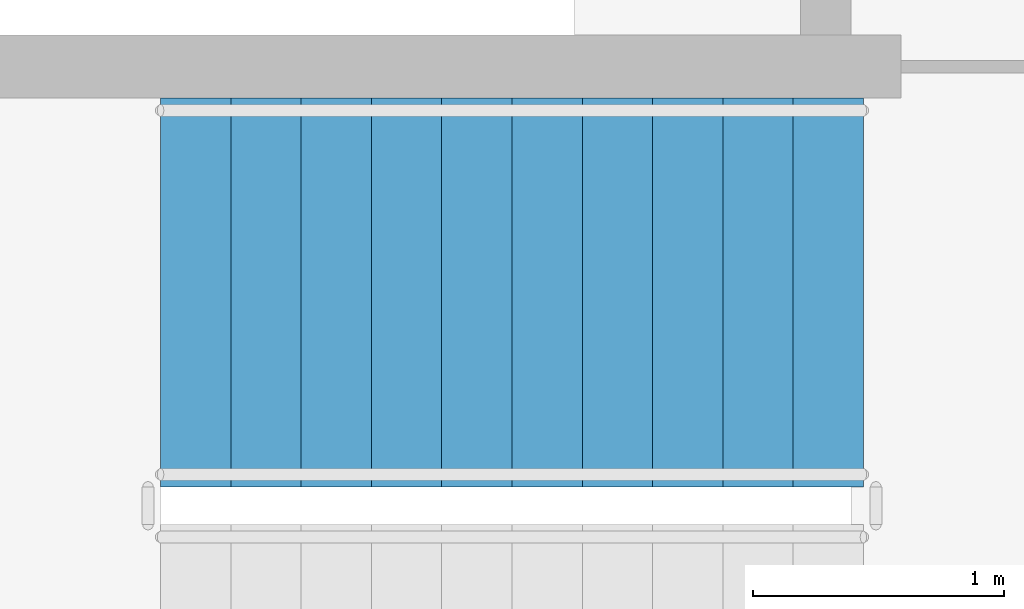
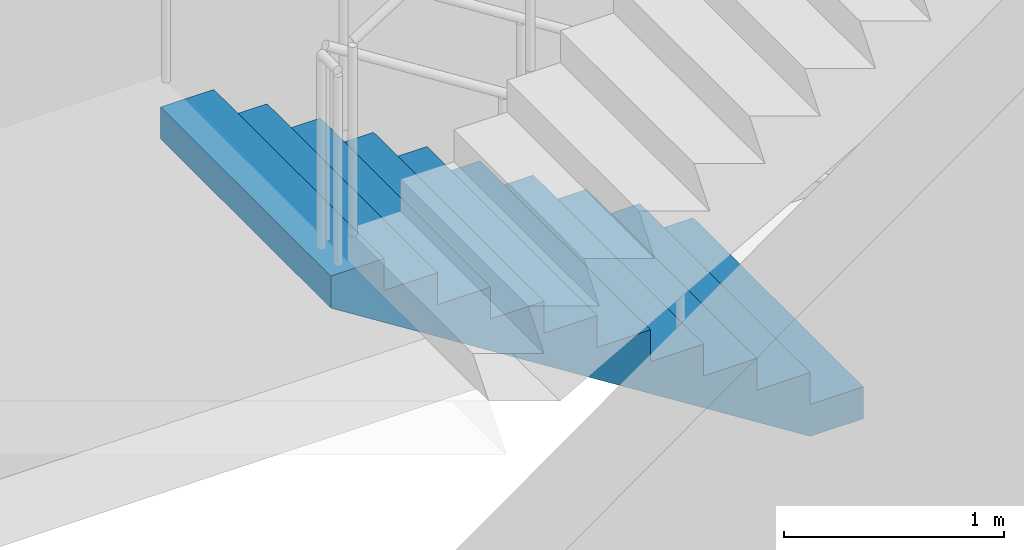
# One storey, part 9 of 10: 1 stair flight, 1 element without a shape of its own.
"""IFC4 building model written with IfcOpenShell, lengths in metres."""

from ifc_helpers import new_model, si_unit, direction, frame, origin, place, context, subcontext, project, spatial, polyline, outline, extrude, material, type_object, element, aggregate, save


model = new_model("IFC4")

# Units and contexts
model_context = context("Model", 3, precision=1e-05, world=origin(), true_north=direction((0.0, 1.0)))
body_context = subcontext(model_context, "Body", "Model", "MODEL_VIEW")
ifc_project = project(units=[si_unit("LENGTHUNIT", "METRE"), si_unit("AREAUNIT", "SQUARE_METRE"), si_unit("VOLUMEUNIT", "CUBIC_METRE"), si_unit("PLANEANGLEUNIT", "RADIAN"), si_unit("MASSUNIT", "GRAM", prefix="KILO")], contexts=[model_context])

# Site, building, storey
site_placement = place(None, origin())
site = spatial("IfcSite", under=ifc_project, at=site_placement, CompositionType="ELEMENT")
building_placement = place(site_placement, origin())
building = spatial("IfcBuilding", under=site, at=building_placement, Name="Dhurran Vertical Campus", CompositionType="ELEMENT")
storey_placement = place(building_placement, frame((0.0, 0.0, 41.699951171875)))
storey = spatial("IfcBuildingStorey", under=building, at=storey_placement, Name="L09", CompositionType="ELEMENT", Elevation=41.699951171875)

# Stair, stair flight
ifc_material_1 = material(Name="Concrete C40/50", Category="concrete")
stair_type = type_object("IfcStairType", Name="co-ST-CORE", PredefinedType="HALF_TURN_STAIR", material=ifc_material_1)
stair_placement = place(storey_placement, origin())
stair = element("IfcStair", 1, at=stair_placement, inside=storey, type_object=stair_type, Name="L09 Protected exit stair ST2", PredefinedType="HALF_TURN_STAIR")
ifc_material_2 = material(Name="Concrete C40/50", Category="concrete")
stair_flight_type = type_object("IfcStairFlightType", Name="co-SFL-RC", PredefinedType="STRAIGHT", material=ifc_material_2)
stair_flight_placement = place(storey_placement, frame((11.10009765625, 9.875, 0.0), z_axis=(0.0, 0.0, 1.0), x_axis=(-1.0, 0.0, 0.0)))
stair_flight = element("IfcStairFlight", 2, at=stair_flight_placement, type_object=stair_flight_type, Name="ST2 flight 1", NumberOfRisers=11, NumberOfTreads=10, PredefinedType="STRAIGHT", RiserHeight=0.177272727, TreadLength=0.28, context=body_context, shape_type="SweptSolid", body=[
    extrude(outline(polyline([(0.0, 0.0), (0.0, 0.17724609375), (0.280029296875, 0.17724609375), (0.280029296875, 0.3544921875), (0.56005859375, 0.3544921875), (0.56005859375, 0.53173828125), (0.840087890625, 0.53173828125), (0.840087890625, 0.708984375), (1.1201171875, 0.708984375), (1.1201171875, 0.886474609375), (1.39990234375, 0.886474609375), (1.39990234375, 1.063720703125), (1.679931640625, 1.063720703125), (1.679931640625, 1.240966796875), (1.9599609375, 1.240966796875), (1.9599609375, 1.418212890625), (2.239990234375, 1.418212890625), (2.239990234375, 1.595458984375), (2.52001953125, 1.595458984375), (2.52001953125, 1.772705078125), (2.800048828125, 1.772705078125), (2.800048828125, 1.949951171875), (2.800048828125, 1.59521484375), (0.2802734375, 0.0), (0.0, 0.0)])), frame((0.0, 0.77490234375, 0.0), z_axis=(0.0, -1.0, 0.0), x_axis=(1.0, 0.0, 0.0)), (0.0, 0.0, 1.0), 1.550048828125),
])
aggregate(stair, [stair_flight])

save(model, "model.ifc")
